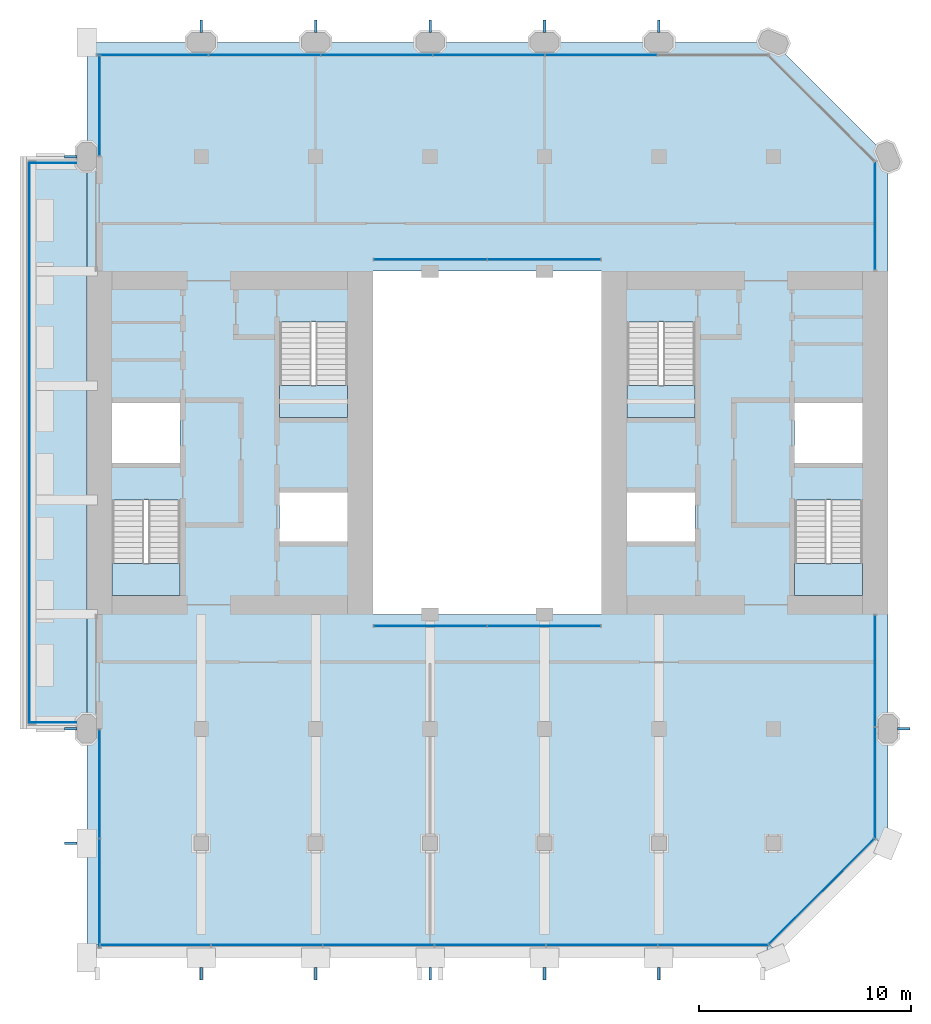
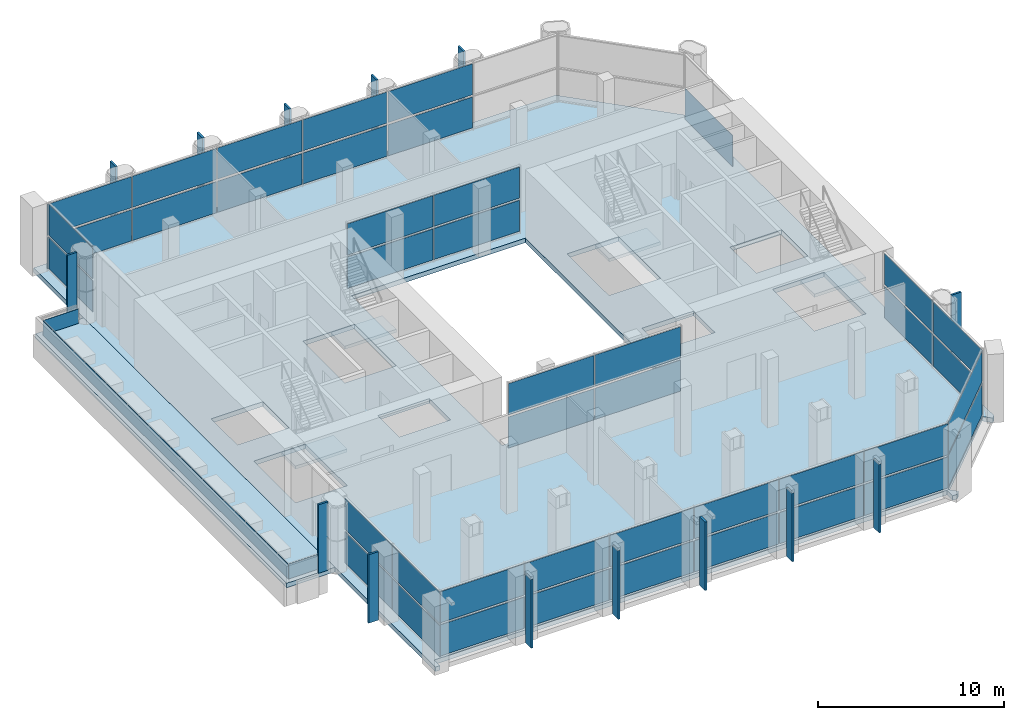
# One storey, part 8 of 14: 60 plates, 6 slabs, 13 elements without a shape of their own.
"""IFC4 building model written with IfcOpenShell, lengths in metres."""

from ifc_helpers import new_model, si_unit, direction, frame, frame_2d, origin, origin_2d, place, context, subcontext, project, spatial, polyline, rectangle, outline, extrude, material, layer, layer_set, type_object, element, aggregate, save


model = new_model("IFC4")

# Units and contexts
model_context = context("Model", 3, precision=1e-05, world=origin(), true_north=direction((0.0, 1.0)))
body_context = subcontext(model_context, "Body", "Model", "MODEL_VIEW")
ifc_project = project(units=[si_unit("LENGTHUNIT", "METRE"), si_unit("AREAUNIT", "SQUARE_METRE"), si_unit("VOLUMEUNIT", "CUBIC_METRE"), si_unit("PLANEANGLEUNIT", "RADIAN"), si_unit("MASSUNIT", "GRAM", prefix="KILO")], contexts=[model_context])

# Site, building, storey
site_placement = place(None, origin())
site = spatial("IfcSite", under=ifc_project, at=site_placement, CompositionType="ELEMENT")
building_placement = place(site_placement, origin())
building = spatial("IfcBuilding", under=site, at=building_placement, Name="Tabaq Tower and Sports Hall", CompositionType="ELEMENT")
storey_placement = place(building_placement, frame((0.0, 0.0, 260.5)))
storey = spatial("IfcBuildingStorey", under=building, at=storey_placement, Name="L63", CompositionType="ELEMENT", Elevation=260.5)

# Curtain wall, plates
ifc_material_1 = material(Name="Aluminium alloy 6063-T6 framed glazing", Category="aluminium")
curtain_wall_type_1 = type_object("IfcCurtainWallType", Name="CW1 curtain wall", PredefinedType="USERDEFINED", material=ifc_material_1)
curtain_wall_1_placement = place(storey_placement, origin())
curtain_wall_1 = element("IfcCurtainWall", 1, at=curtain_wall_1_placement, inside=storey, type_object=curtain_wall_type_1, Name="Atrium glazing L63 S", ObjectType="ATRIUM ENCLOSURE", PredefinedType="USERDEFINED")
ifc_material_2 = material(Name="Clear low-emissivity glass 28 mm", Category="glass")
ifc_layer_1 = layer(ifc_material_2, 0.028076171875)
ifc_layer_set_1 = layer_set([ifc_layer_1], Name="CW1 glass panel 28")
plate_type_1 = type_object("IfcPlateType", Name="CW1 glass panel 28", PredefinedType="CURTAIN_PANEL", material=ifc_layer_set_1)
plate_1_placement = place(storey_placement, frame((21.614990234375, 15.64990234375, 0.139892578125), z_axis=(0.0, 0.0, 1.0), x_axis=(1.0, 0.0, 0.0)))
plate_1 = element("IfcPlate", 2, at=plate_1_placement, type_object=plate_type_1, Name="CW1 panel 1.1", PredefinedType="CURTAIN_PANEL", context=body_context, shape_type="SweptSolid", body=[
    extrude(rectangle(XDim=5.31005859375, YDim=0.028076171875, at=origin_2d()), origin(), (0.0, 0.0, 1.0), 2.0400390625),
])
plate_2_placement = place(storey_placement, frame((21.614990234375, 15.64990234375, 2.320068359375), z_axis=(0.0, 0.0, 1.0), x_axis=(1.0, 0.0, 0.0)))
plate_2 = element("IfcPlate", 3, at=plate_2_placement, type_object=plate_type_1, Name="CW1 panel 1.2", PredefinedType="CURTAIN_PANEL", context=body_context, shape_type="SweptSolid", body=[
    extrude(rectangle(XDim=5.31005859375, YDim=0.028076171875, at=origin_2d()), origin(), (0.0, 0.0, 1.0), 2.0400390625),
])
plate_3_placement = place(storey_placement, frame((26.985107421875, 15.64990234375, 0.139892578125), z_axis=(0.0, 0.0, 1.0), x_axis=(1.0, 0.0, 0.0)))
plate_3 = element("IfcPlate", 4, at=plate_3_placement, type_object=plate_type_1, Name="CW1 panel 2.1", PredefinedType="CURTAIN_PANEL", context=body_context, shape_type="SweptSolid", body=[
    extrude(rectangle(XDim=5.31005859375, YDim=0.028076171875, at=origin_2d()), origin(), (0.0, 0.0, 1.0), 2.0400390625),
])
plate_4_placement = place(storey_placement, frame((26.985107421875, 15.64990234375, 2.320068359375), z_axis=(0.0, 0.0, 1.0), x_axis=(1.0, 0.0, 0.0)))
plate_4 = element("IfcPlate", 5, at=plate_4_placement, type_object=plate_type_1, Name="CW1 panel 2.2", PredefinedType="CURTAIN_PANEL", context=body_context, shape_type="SweptSolid", body=[
    extrude(rectangle(XDim=5.31005859375, YDim=0.028076171875, at=origin_2d()), origin(), (0.0, 0.0, 1.0), 2.0400390625),
])
aggregate(curtain_wall_1, [plate_1, plate_2, plate_3, plate_4])

curtain_wall_2_placement = place(storey_placement, origin())
curtain_wall_2 = element("IfcCurtainWall", 6, at=curtain_wall_2_placement, inside=storey, type_object=curtain_wall_type_1, Name="Atrium glazing L63 N", ObjectType="ATRIUM ENCLOSURE", PredefinedType="USERDEFINED")
plate_5_placement = place(storey_placement, frame((21.614990234375, 32.949951171875, 0.139892578125), z_axis=(0.0, 0.0, 1.0), x_axis=(1.0, 0.0, 0.0)))
plate_5 = element("IfcPlate", 7, at=plate_5_placement, type_object=plate_type_1, Name="CW1 panel 1.1", PredefinedType="CURTAIN_PANEL", context=body_context, shape_type="SweptSolid", body=[
    extrude(rectangle(XDim=5.31005859375, YDim=0.028076171875, at=origin_2d()), origin(), (0.0, 0.0, 1.0), 2.0400390625),
])
plate_6_placement = place(storey_placement, frame((21.614990234375, 32.949951171875, 2.320068359375), z_axis=(0.0, 0.0, 1.0), x_axis=(1.0, 0.0, 0.0)))
plate_6 = element("IfcPlate", 8, at=plate_6_placement, type_object=plate_type_1, Name="CW1 panel 1.2", PredefinedType="CURTAIN_PANEL", context=body_context, shape_type="SweptSolid", body=[
    extrude(rectangle(XDim=5.31005859375, YDim=0.028076171875, at=origin_2d()), origin(), (0.0, 0.0, 1.0), 2.0400390625),
])
plate_7_placement = place(storey_placement, frame((26.985107421875, 32.949951171875, 0.139892578125), z_axis=(0.0, 0.0, 1.0), x_axis=(1.0, 0.0, 0.0)))
plate_7 = element("IfcPlate", 9, at=plate_7_placement, type_object=plate_type_1, Name="CW1 panel 2.1", PredefinedType="CURTAIN_PANEL", context=body_context, shape_type="SweptSolid", body=[
    extrude(rectangle(XDim=5.31005859375, YDim=0.028076171875, at=origin_2d()), origin(), (0.0, 0.0, 1.0), 2.0400390625),
])
plate_8_placement = place(storey_placement, frame((26.985107421875, 32.949951171875, 2.320068359375), z_axis=(0.0, 0.0, 1.0), x_axis=(1.0, 0.0, 0.0)))
plate_8 = element("IfcPlate", 10, at=plate_8_placement, type_object=plate_type_1, Name="CW1 panel 2.2", PredefinedType="CURTAIN_PANEL", context=body_context, shape_type="SweptSolid", body=[
    extrude(rectangle(XDim=5.31005859375, YDim=0.028076171875, at=origin_2d()), origin(), (0.0, 0.0, 1.0), 2.0400390625),
])
aggregate(curtain_wall_2, [plate_5, plate_6, plate_7, plate_8])

ifc_material_3 = material(Name="Aluminium alloy 6063-T6 framed glazing", Category="aluminium")
curtain_wall_type_2 = type_object("IfcCurtainWallType", Name="CW3 curtain wall", PredefinedType="USERDEFINED", material=ifc_material_3)
curtain_wall_3_placement = place(storey_placement, origin())
curtain_wall_3 = element("IfcCurtainWall", 11, at=curtain_wall_3_placement, inside=storey, type_object=curtain_wall_type_2, Name="Garden Floor Wall L63 S", ObjectType="GARDEN FLOOR WALL", PredefinedType="USERDEFINED")
ifc_material_4 = material(Name="Clear low-emissivity glass 28 mm", Category="glass")
ifc_layer_2 = layer(ifc_material_4, 0.028076171875)
ifc_layer_set_2 = layer_set([ifc_layer_2], Name="CW3 glass panel 28")
plate_type_2 = type_object("IfcPlateType", Name="CW3 glass panel 28", PredefinedType="CURTAIN_PANEL", material=ifc_layer_set_2)
plate_9_placement = place(storey_placement, frame((8.6494140625, 0.60009765625, 0.139892578125), z_axis=(0.0, 0.0, 1.0), x_axis=(1.0, 0.0, 0.0)))
plate_9 = element("IfcPlate", 12, at=plate_9_placement, type_object=plate_type_2, Name="CW3 panel 1.1", PredefinedType="CURTAIN_PANEL", context=body_context, shape_type="SweptSolid", body=[
    extrude(rectangle(XDim=5.178955078125, YDim=0.028076171875, at=origin_2d()), origin(), (0.0, 0.0, 1.0), 2.0400390625),
])
plate_10_placement = place(storey_placement, frame((8.6494140625, 0.60009765625, 2.320068359375), z_axis=(0.0, 0.0, 1.0), x_axis=(1.0, 0.0, 0.0)))
plate_10 = element("IfcPlate", 13, at=plate_10_placement, type_object=plate_type_2, Name="CW3 panel 1.2", PredefinedType="CURTAIN_PANEL", context=body_context, shape_type="SweptSolid", body=[
    extrude(rectangle(XDim=5.178955078125, YDim=0.028076171875, at=origin_2d()), origin(), (0.0, 0.0, 1.0), 2.0400390625),
])
plate_11_placement = place(storey_placement, frame((13.9033203125, 0.60009765625, 0.139892578125), z_axis=(0.0, 0.0, 1.0), x_axis=(1.0, 0.0, 0.0)))
plate_11 = element("IfcPlate", 14, at=plate_11_placement, type_object=plate_type_2, Name="CW3 panel 2.1", PredefinedType="CURTAIN_PANEL", context=body_context, shape_type="SweptSolid", body=[
    extrude(rectangle(XDim=5.208984375, YDim=0.028076171875, at=origin_2d()), origin(), (0.0, 0.0, 1.0), 2.0400390625),
])
plate_12_placement = place(storey_placement, frame((13.9033203125, 0.60009765625, 2.320068359375), z_axis=(0.0, 0.0, 1.0), x_axis=(1.0, 0.0, 0.0)))
plate_12 = element("IfcPlate", 15, at=plate_12_placement, type_object=plate_type_2, Name="CW3 panel 2.2", PredefinedType="CURTAIN_PANEL", context=body_context, shape_type="SweptSolid", body=[
    extrude(rectangle(XDim=5.208984375, YDim=0.028076171875, at=origin_2d()), origin(), (0.0, 0.0, 1.0), 2.0400390625),
])
plate_13_placement = place(storey_placement, frame((19.17236328125, 0.60009765625, 0.139892578125), z_axis=(0.0, 0.0, 1.0), x_axis=(1.0, 0.0, 0.0)))
plate_13 = element("IfcPlate", 16, at=plate_13_placement, type_object=plate_type_2, Name="CW3 panel 3.1", PredefinedType="CURTAIN_PANEL", context=body_context, shape_type="SweptSolid", body=[
    extrude(rectangle(XDim=5.208984375, YDim=0.028076171875, at=origin_2d()), origin(), (0.0, 0.0, 1.0), 2.0400390625),
])
plate_14_placement = place(storey_placement, frame((19.17236328125, 0.60009765625, 2.320068359375), z_axis=(0.0, 0.0, 1.0), x_axis=(1.0, 0.0, 0.0)))
plate_14 = element("IfcPlate", 17, at=plate_14_placement, type_object=plate_type_2, Name="CW3 panel 3.2", PredefinedType="CURTAIN_PANEL", context=body_context, shape_type="SweptSolid", body=[
    extrude(rectangle(XDim=5.208984375, YDim=0.028076171875, at=origin_2d()), origin(), (0.0, 0.0, 1.0), 2.0400390625),
])
plate_15_placement = place(storey_placement, frame((24.441162109375, 0.60009765625, 0.139892578125), z_axis=(0.0, 0.0, 1.0), x_axis=(1.0, 0.0, 0.0)))
plate_15 = element("IfcPlate", 18, at=plate_15_placement, type_object=plate_type_2, Name="CW3 panel 4.1", PredefinedType="CURTAIN_PANEL", context=body_context, shape_type="SweptSolid", body=[
    extrude(rectangle(XDim=5.208984375, YDim=0.028076171875, at=origin_2d()), origin(), (0.0, 0.0, 1.0), 2.0400390625),
])
plate_16_placement = place(storey_placement, frame((24.441162109375, 0.60009765625, 2.320068359375), z_axis=(0.0, 0.0, 1.0), x_axis=(1.0, 0.0, 0.0)))
plate_16 = element("IfcPlate", 19, at=plate_16_placement, type_object=plate_type_2, Name="CW3 panel 4.2", PredefinedType="CURTAIN_PANEL", context=body_context, shape_type="SweptSolid", body=[
    extrude(rectangle(XDim=5.208984375, YDim=0.028076171875, at=origin_2d()), origin(), (0.0, 0.0, 1.0), 2.0400390625),
])
plate_17_placement = place(storey_placement, frame((29.710205078125, 0.60009765625, 0.139892578125), z_axis=(0.0, 0.0, 1.0), x_axis=(1.0, 0.0, 0.0)))
plate_17 = element("IfcPlate", 20, at=plate_17_placement, type_object=plate_type_2, Name="CW3 panel 5.1", PredefinedType="CURTAIN_PANEL", context=body_context, shape_type="SweptSolid", body=[
    extrude(rectangle(XDim=5.208984375, YDim=0.028076171875, at=origin_2d()), origin(), (0.0, 0.0, 1.0), 2.0400390625),
])
plate_18_placement = place(storey_placement, frame((29.710205078125, 0.60009765625, 2.320068359375), z_axis=(0.0, 0.0, 1.0), x_axis=(1.0, 0.0, 0.0)))
plate_18 = element("IfcPlate", 21, at=plate_18_placement, type_object=plate_type_2, Name="CW3 panel 5.2", PredefinedType="CURTAIN_PANEL", context=body_context, shape_type="SweptSolid", body=[
    extrude(rectangle(XDim=5.208984375, YDim=0.028076171875, at=origin_2d()), origin(), (0.0, 0.0, 1.0), 2.0400390625),
])
plate_19_placement = place(storey_placement, frame((34.964111328125, 0.60009765625, 0.139892578125), z_axis=(0.0, 0.0, 1.0), x_axis=(1.0, 0.0, 0.0)))
plate_19 = element("IfcPlate", 22, at=plate_19_placement, type_object=plate_type_2, Name="CW3 panel 6.1", PredefinedType="CURTAIN_PANEL", context=body_context, shape_type="SweptSolid", body=[
    extrude(rectangle(XDim=5.178955078125, YDim=0.028076171875, at=origin_2d()), origin(), (0.0, 0.0, 1.0), 2.0400390625),
])
plate_20_placement = place(storey_placement, frame((34.964111328125, 0.60009765625, 2.320068359375), z_axis=(0.0, 0.0, 1.0), x_axis=(1.0, 0.0, 0.0)))
plate_20 = element("IfcPlate", 23, at=plate_20_placement, type_object=plate_type_2, Name="CW3 panel 6.2", PredefinedType="CURTAIN_PANEL", context=body_context, shape_type="SweptSolid", body=[
    extrude(rectangle(XDim=5.178955078125, YDim=0.028076171875, at=origin_2d()), origin(), (0.0, 0.0, 1.0), 2.0400390625),
])
aggregate(curtain_wall_3, [plate_9, plate_10, plate_11, plate_12, plate_13, plate_14, plate_15, plate_16, plate_17, plate_18, plate_19, plate_20])

curtain_wall_4_placement = place(storey_placement, origin())
curtain_wall_4 = element("IfcCurtainWall", 24, at=curtain_wall_4_placement, inside=storey, type_object=curtain_wall_type_2, Name="Garden Floor Wall L63 SE", ObjectType="GARDEN FLOOR WALL", PredefinedType="USERDEFINED")
plate_21_placement = place(storey_placement, frame((40.07568359375, 3.124267578125, 0.139892578125), z_axis=(0.0, 0.0, 1.0), x_axis=(0.707106781187, 0.707106781187, 0.0)))
plate_21 = element("IfcPlate", 25, at=plate_21_placement, type_object=plate_type_2, Name="CW3 panel 1.1", PredefinedType="CURTAIN_PANEL", context=body_context, shape_type="SweptSolid", body=[
    extrude(rectangle(XDim=7.019775390625, YDim=0.028076171875, at=origin_2d()), origin(), (0.0, 0.0, 1.0), 2.0400390625),
])
plate_22_placement = place(storey_placement, frame((40.07568359375, 3.124267578125, 2.320068359375), z_axis=(0.0, 0.0, 1.0), x_axis=(0.707106781187, 0.707106781187, 0.0)))
plate_22 = element("IfcPlate", 26, at=plate_22_placement, type_object=plate_type_2, Name="CW3 panel 1.2", PredefinedType="CURTAIN_PANEL", context=body_context, shape_type="SweptSolid", body=[
    extrude(rectangle(XDim=7.019775390625, YDim=0.028076171875, at=origin_2d()), origin(), (0.0, 0.0, 1.0), 2.0400390625),
])
aggregate(curtain_wall_4, [plate_21, plate_22])

curtain_wall_5_placement = place(storey_placement, origin())
curtain_wall_5 = element("IfcCurtainWall", 27, at=curtain_wall_5_placement, inside=storey, type_object=curtain_wall_type_2, Name="Garden Floor Wall L63 E", ObjectType="GARDEN FLOOR WALL", PredefinedType="USERDEFINED")
plate_23_placement = place(storey_placement, frame((42.60009765625, 8.2548828125, 0.139892578125), z_axis=(0.0, 0.0, 1.0), x_axis=(0.0, 1.0, 0.0)))
plate_23 = element("IfcPlate", 28, at=plate_23_placement, type_object=plate_type_2, Name="CW3 panel 1.1", PredefinedType="CURTAIN_PANEL", context=body_context, shape_type="SweptSolid", body=[
    extrude(rectangle(XDim=5.216796875, YDim=0.028076171875, at=origin_2d()), origin(), (0.0, 0.0, 1.0), 2.0400390625),
])
plate_24_placement = place(storey_placement, frame((42.60009765625, 8.2548828125, 2.320068359375), z_axis=(0.0, 0.0, 1.0), x_axis=(0.0, 1.0, 0.0)))
plate_24 = element("IfcPlate", 29, at=plate_24_placement, type_object=plate_type_2, Name="CW3 panel 1.2", PredefinedType="CURTAIN_PANEL", context=body_context, shape_type="SweptSolid", body=[
    extrude(rectangle(XDim=5.216796875, YDim=0.028076171875, at=origin_2d()), origin(), (0.0, 0.0, 1.0), 2.0400390625),
])
plate_25_placement = place(storey_placement, frame((42.60009765625, 13.531494140625, 0.139892578125), z_axis=(0.0, 0.0, 1.0), x_axis=(0.0, 1.0, 0.0)))
plate_25 = element("IfcPlate", 30, at=plate_25_placement, type_object=plate_type_2, Name="CW3 panel 2.1", PredefinedType="CURTAIN_PANEL", context=body_context, shape_type="SweptSolid", body=[
    extrude(rectangle(XDim=5.216796875, YDim=0.028076171875, at=origin_2d()), origin(), (0.0, 0.0, 1.0), 2.0400390625),
])
plate_26_placement = place(storey_placement, frame((42.60009765625, 13.531494140625, 2.320068359375), z_axis=(0.0, 0.0, 1.0), x_axis=(0.0, 1.0, 0.0)))
plate_26 = element("IfcPlate", 31, at=plate_26_placement, type_object=plate_type_2, Name="CW3 panel 2.2", PredefinedType="CURTAIN_PANEL", context=body_context, shape_type="SweptSolid", body=[
    extrude(rectangle(XDim=5.216796875, YDim=0.028076171875, at=origin_2d()), origin(), (0.0, 0.0, 1.0), 2.0400390625),
])
aggregate(curtain_wall_5, [plate_23, plate_24, plate_25, plate_26])

# Curtain wall, plate
curtain_wall_6_placement = place(storey_placement, origin())
curtain_wall_6 = element("IfcCurtainWall", 32, at=curtain_wall_6_placement, inside=storey, type_object=curtain_wall_type_2, Name="Garden Floor Wall L63 E", ObjectType="GARDEN FLOOR WALL", PredefinedType="USERDEFINED")
plate_27_placement = place(storey_placement, frame((42.60009765625, 35.0068359375, 0.139892578125), z_axis=(0.0, 0.0, 1.0), x_axis=(0.0, 1.0, 0.0)))
plate_27 = element("IfcPlate", 33, at=plate_27_placement, type_object=plate_type_2, Name="CW3 panel 1.1", PredefinedType="CURTAIN_PANEL", context=body_context, shape_type="SweptSolid", body=[
    extrude(rectangle(XDim=5.093505859375, YDim=0.028076171875, at=origin_2d()), origin(), (0.0, 0.0, 1.0), 2.0400390625),
])
aggregate(curtain_wall_6, [plate_27])

# Curtain wall, plates
curtain_wall_7_placement = place(storey_placement, origin())
curtain_wall_7 = element("IfcCurtainWall", 34, at=curtain_wall_7_placement, inside=storey, type_object=curtain_wall_type_2, Name="Garden Floor Wall L63 N", ObjectType="GARDEN FLOOR WALL", PredefinedType="USERDEFINED")
plate_28_placement = place(storey_placement, frame((29.672607421875, 42.60009765625, 0.139892578125), z_axis=(0.0, 0.0, 1.0), x_axis=(-1.0, 0.0, 0.0)))
plate_28 = element("IfcPlate", 35, at=plate_28_placement, type_object=plate_type_2, Name="CW3 panel 2.1", PredefinedType="CURTAIN_PANEL", context=body_context, shape_type="SweptSolid", body=[
    extrude(rectangle(XDim=5.23388671875, YDim=0.028076171875, at=origin_2d()), origin(), (0.0, 0.0, 1.0), 2.0400390625),
])
plate_29_placement = place(storey_placement, frame((29.672607421875, 42.60009765625, 2.320068359375), z_axis=(0.0, 0.0, 1.0), x_axis=(-1.0, 0.0, 0.0)))
plate_29 = element("IfcPlate", 36, at=plate_29_placement, type_object=plate_type_2, Name="CW3 panel 2.2", PredefinedType="CURTAIN_PANEL", context=body_context, shape_type="SweptSolid", body=[
    extrude(rectangle(XDim=5.23388671875, YDim=0.028076171875, at=origin_2d()), origin(), (0.0, 0.0, 1.0), 2.0400390625),
])
plate_30_placement = place(storey_placement, frame((24.378662109375, 42.60009765625, 0.139892578125), z_axis=(0.0, 0.0, 1.0), x_axis=(-1.0, 0.0, 0.0)))
plate_30 = element("IfcPlate", 37, at=plate_30_placement, type_object=plate_type_2, Name="CW3 panel 3.1", PredefinedType="CURTAIN_PANEL", context=body_context, shape_type="SweptSolid", body=[
    extrude(rectangle(XDim=5.23388671875, YDim=0.028076171875, at=origin_2d()), origin(), (0.0, 0.0, 1.0), 2.0400390625),
])
plate_31_placement = place(storey_placement, frame((24.378662109375, 42.60009765625, 2.320068359375), z_axis=(0.0, 0.0, 1.0), x_axis=(-1.0, 0.0, 0.0)))
plate_31 = element("IfcPlate", 38, at=plate_31_placement, type_object=plate_type_2, Name="CW3 panel 3.2", PredefinedType="CURTAIN_PANEL", context=body_context, shape_type="SweptSolid", body=[
    extrude(rectangle(XDim=5.23388671875, YDim=0.028076171875, at=origin_2d()), origin(), (0.0, 0.0, 1.0), 2.0400390625),
])
plate_32_placement = place(storey_placement, frame((19.084716796875, 42.60009765625, 0.139892578125), z_axis=(0.0, 0.0, 1.0), x_axis=(-1.0, 0.0, 0.0)))
plate_32 = element("IfcPlate", 39, at=plate_32_placement, type_object=plate_type_2, Name="CW3 panel 4.1", PredefinedType="CURTAIN_PANEL", context=body_context, shape_type="SweptSolid", body=[
    extrude(rectangle(XDim=5.23388671875, YDim=0.028076171875, at=origin_2d()), origin(), (0.0, 0.0, 1.0), 2.0400390625),
])
plate_33_placement = place(storey_placement, frame((19.084716796875, 42.60009765625, 2.320068359375), z_axis=(0.0, 0.0, 1.0), x_axis=(-1.0, 0.0, 0.0)))
plate_33 = element("IfcPlate", 40, at=plate_33_placement, type_object=plate_type_2, Name="CW3 panel 4.2", PredefinedType="CURTAIN_PANEL", context=body_context, shape_type="SweptSolid", body=[
    extrude(rectangle(XDim=5.23388671875, YDim=0.028076171875, at=origin_2d()), origin(), (0.0, 0.0, 1.0), 2.0400390625),
])
plate_34_placement = place(storey_placement, frame((13.791015625, 42.60009765625, 0.139892578125), z_axis=(0.0, 0.0, 1.0), x_axis=(-1.0, 0.0, 0.0)))
plate_34 = element("IfcPlate", 41, at=plate_34_placement, type_object=plate_type_2, Name="CW3 panel 5.1", PredefinedType="CURTAIN_PANEL", context=body_context, shape_type="SweptSolid", body=[
    extrude(rectangle(XDim=5.23388671875, YDim=0.028076171875, at=origin_2d()), origin(), (0.0, 0.0, 1.0), 2.0400390625),
])
plate_35_placement = place(storey_placement, frame((13.791015625, 42.60009765625, 2.320068359375), z_axis=(0.0, 0.0, 1.0), x_axis=(-1.0, 0.0, 0.0)))
plate_35 = element("IfcPlate", 42, at=plate_35_placement, type_object=plate_type_2, Name="CW3 panel 5.2", PredefinedType="CURTAIN_PANEL", context=body_context, shape_type="SweptSolid", body=[
    extrude(rectangle(XDim=5.23388671875, YDim=0.028076171875, at=origin_2d()), origin(), (0.0, 0.0, 1.0), 2.0400390625),
])
plate_36_placement = place(storey_placement, frame((8.511962890625, 42.60009765625, 0.139892578125), z_axis=(0.0, 0.0, 1.0), x_axis=(-1.0, 0.0, 0.0)))
plate_36 = element("IfcPlate", 43, at=plate_36_placement, type_object=plate_type_2, Name="CW3 panel 6.1", PredefinedType="CURTAIN_PANEL", context=body_context, shape_type="SweptSolid", body=[
    extrude(rectangle(XDim=5.203857421875, YDim=0.028076171875, at=origin_2d()), origin(), (0.0, 0.0, 1.0), 2.0400390625),
])
plate_37_placement = place(storey_placement, frame((8.511962890625, 42.60009765625, 2.320068359375), z_axis=(0.0, 0.0, 1.0), x_axis=(-1.0, 0.0, 0.0)))
plate_37 = element("IfcPlate", 44, at=plate_37_placement, type_object=plate_type_2, Name="CW3 panel 6.2", PredefinedType="CURTAIN_PANEL", context=body_context, shape_type="SweptSolid", body=[
    extrude(rectangle(XDim=5.203857421875, YDim=0.028076171875, at=origin_2d()), origin(), (0.0, 0.0, 1.0), 2.0400390625),
])
aggregate(curtain_wall_7, [plate_28, plate_29, plate_30, plate_31, plate_32, plate_33, plate_34, plate_35, plate_36, plate_37])

curtain_wall_8_placement = place(storey_placement, origin())
curtain_wall_8 = element("IfcCurtainWall", 45, at=curtain_wall_8_placement, inside=storey, type_object=curtain_wall_type_2, Name="Garden Floor Wall L63 W", ObjectType="GARDEN FLOOR WALL", PredefinedType="USERDEFINED")
plate_38_placement = place(storey_placement, frame((6.0, 40.199951171875, 0.139892578125), z_axis=(0.0, 0.0, 1.0), x_axis=(0.0, -1.0, 0.0)))
plate_38 = element("IfcPlate", 46, at=plate_38_placement, type_object=plate_type_2, Name="CW3 panel 1.1", PredefinedType="CURTAIN_PANEL", context=body_context, shape_type="SweptSolid", body=[
    extrude(rectangle(XDim=4.679931640625, YDim=0.028076171875, at=origin_2d()), origin(), (0.0, 0.0, 1.0), 2.0400390625),
])
plate_39_placement = place(storey_placement, frame((6.0, 40.199951171875, 2.320068359375), z_axis=(0.0, 0.0, 1.0), x_axis=(0.0, -1.0, 0.0)))
plate_39 = element("IfcPlate", 47, at=plate_39_placement, type_object=plate_type_2, Name="CW3 panel 1.2", PredefinedType="CURTAIN_PANEL", context=body_context, shape_type="SweptSolid", body=[
    extrude(rectangle(XDim=4.679931640625, YDim=0.028076171875, at=origin_2d()), origin(), (0.0, 0.0, 1.0), 2.0400390625),
])
aggregate(curtain_wall_8, [plate_38, plate_39])

curtain_wall_9_placement = place(storey_placement, origin())
curtain_wall_9 = element("IfcCurtainWall", 48, at=curtain_wall_9_placement, inside=storey, type_object=curtain_wall_type_2, Name="Garden Floor Wall L63 W", ObjectType="GARDEN FLOOR WALL", PredefinedType="USERDEFINED")
plate_40_placement = place(storey_placement, frame((6.0, 8.197509765625, 0.139892578125), z_axis=(0.0, 0.0, 1.0), x_axis=(0.0, -1.0, 0.0)))
plate_40 = element("IfcPlate", 49, at=plate_40_placement, type_object=plate_type_2, Name="CW3 panel 1.1", PredefinedType="CURTAIN_PANEL", context=body_context, shape_type="SweptSolid", body=[
    extrude(rectangle(XDim=5.0849609375, YDim=0.028076171875, at=origin_2d()), origin(), (0.0, 0.0, 1.0), 2.0400390625),
])
plate_41_placement = place(storey_placement, frame((6.0, 8.197509765625, 2.320068359375), z_axis=(0.0, 0.0, 1.0), x_axis=(0.0, -1.0, 0.0)))
plate_41 = element("IfcPlate", 50, at=plate_41_placement, type_object=plate_type_2, Name="CW3 panel 1.2", PredefinedType="CURTAIN_PANEL", context=body_context, shape_type="SweptSolid", body=[
    extrude(rectangle(XDim=5.0849609375, YDim=0.028076171875, at=origin_2d()), origin(), (0.0, 0.0, 1.0), 2.0400390625),
])
plate_42_placement = place(storey_placement, frame((6.0, 3.052490234375, 0.139892578125), z_axis=(0.0, 0.0, 1.0), x_axis=(0.0, -1.0, 0.0)))
plate_42 = element("IfcPlate", 51, at=plate_42_placement, type_object=plate_type_2, Name="CW3 panel 2.1", PredefinedType="CURTAIN_PANEL", context=body_context, shape_type="SweptSolid", body=[
    extrude(rectangle(XDim=5.0849609375, YDim=0.028076171875, at=origin_2d()), origin(), (0.0, 0.0, 1.0), 2.0400390625),
])
plate_43_placement = place(storey_placement, frame((6.0, 3.052490234375, 2.320068359375), z_axis=(0.0, 0.0, 1.0), x_axis=(0.0, -1.0, 0.0)))
plate_43 = element("IfcPlate", 52, at=plate_43_placement, type_object=plate_type_2, Name="CW3 panel 2.2", PredefinedType="CURTAIN_PANEL", context=body_context, shape_type="SweptSolid", body=[
    extrude(rectangle(XDim=5.0849609375, YDim=0.028076171875, at=origin_2d()), origin(), (0.0, 0.0, 1.0), 2.0400390625),
])
aggregate(curtain_wall_9, [plate_40, plate_41, plate_42, plate_43])

# Slab
ifc_material_5 = material(Name="Concrete C40/50", Category="concrete")
ifc_layer_3 = layer(ifc_material_5, 0.300048828125)
ifc_layer_set_3 = layer_set([ifc_layer_3], Name="Concrete C40/50 PT tray slab 300")
slab_type_1 = type_object("IfcSlabType", Name="Concrete C40/50 PT tray slab 300", PredefinedType="FLOOR", material=ifc_layer_set_3)
slab_1_placement = place(storey_placement, frame((0.0, 0.0, -0.300048828125)))
element("IfcSlab", 53, at=slab_1_placement, inside=storey, type_object=slab_type_1, Name="Tray slab L63", PredefinedType="FLOOR", context=body_context, shape_type="SweptSolid", body=[
    extrude(outline(polyline([(5.39990234375, 37.800048828125), (5.39990234375, 10.800048828125), (2.39990234375, 10.800048828125), (2.39990234375, 37.800048828125), (5.39990234375, 37.800048828125)])), origin(), (0.0, 0.0, 1.0), 0.300048828125),
])

# Stair, slab
ifc_material_6 = material(Name="Concrete C40/50", Category="concrete")
stair_type = type_object("IfcStairType", Name="Exit stair", PredefinedType="HALF_TURN_STAIR", material=ifc_material_6)
stair_1_placement = place(storey_placement, origin())
stair_1 = element("IfcStair", 54, at=stair_1_placement, inside=storey, type_object=stair_type, Name="L63 Exit stair ST1", PredefinedType="HALF_TURN_STAIR")
ifc_material_7 = material(Name="Concrete C40/50", Category="concrete")
ifc_layer_4 = layer(ifc_material_7, 0.199951171875)
ifc_layer_set_4 = layer_set([ifc_layer_4], Name="Exit stair landing")
slab_type_2 = type_object("IfcSlabType", Name="Exit stair landing", PredefinedType="LANDING", material=ifc_layer_set_4)
slab_2_placement = place(storey_placement, frame((0.0, 0.0, 2.199951171875)))
slab_2 = element("IfcSlab", 55, at=slab_2_placement, type_object=slab_type_2, Name="ST1 landing 1", PredefinedType="LANDING", context=body_context, shape_type="SweptSolid", body=[
    extrude(outline(polyline([(6.60009765625, 18.60009765625), (6.60009765625, 17.10009765625), (9.800048828125, 17.10009765625), (9.800048828125, 18.60009765625), (6.60009765625, 18.60009765625)])), origin(), (0.0, 0.0, 1.0), 0.199951171875),
])
aggregate(stair_1, [slab_2])

stair_2_placement = place(storey_placement, origin())
stair_2 = element("IfcStair", 56, at=stair_2_placement, inside=storey, type_object=stair_type, Name="L63 Exit stair ST2", PredefinedType="HALF_TURN_STAIR")
slab_3_placement = place(storey_placement, frame((0.0, 0.0, 2.199951171875)))
slab_3 = element("IfcSlab", 57, at=slab_3_placement, type_object=slab_type_2, Name="ST2 landing 1", PredefinedType="LANDING", context=body_context, shape_type="SweptSolid", body=[
    extrude(outline(polyline([(14.5, 27.0), (14.5, 25.5), (17.699951171875, 25.5), (17.699951171875, 27.0), (14.5, 27.0)])), origin(), (0.0, 0.0, 1.0), 0.199951171875),
])
aggregate(stair_2, [slab_3])

stair_3_placement = place(storey_placement, origin())
stair_3 = element("IfcStair", 58, at=stair_3_placement, inside=storey, type_object=stair_type, Name="L63 Exit stair ST3", PredefinedType="HALF_TURN_STAIR")
slab_4_placement = place(storey_placement, frame((0.0, 0.0, 2.199951171875)))
slab_4 = element("IfcSlab", 59, at=slab_4_placement, type_object=slab_type_2, Name="ST3 landing 1", PredefinedType="LANDING", context=body_context, shape_type="SweptSolid", body=[
    extrude(outline(polyline([(38.800048828125, 18.60009765625), (38.800048828125, 17.10009765625), (42.0, 17.10009765625), (42.0, 18.60009765625), (38.800048828125, 18.60009765625)])), origin(), (0.0, 0.0, 1.0), 0.199951171875),
])
aggregate(stair_3, [slab_4])

stair_4_placement = place(storey_placement, origin())
stair_4 = element("IfcStair", 60, at=stair_4_placement, inside=storey, type_object=stair_type, Name="L63 Exit stair ST4", PredefinedType="HALF_TURN_STAIR")
slab_5_placement = place(storey_placement, frame((0.0, 0.0, 2.199951171875)))
slab_5 = element("IfcSlab", 61, at=slab_5_placement, type_object=slab_type_2, Name="ST4 landing 1", PredefinedType="LANDING", context=body_context, shape_type="SweptSolid", body=[
    extrude(outline(polyline([(30.89990234375, 27.0), (30.89990234375, 25.5), (34.10009765625, 25.5), (34.10009765625, 27.0), (30.89990234375, 27.0)])), origin(), (0.0, 0.0, 1.0), 0.199951171875),
])
aggregate(stair_4, [slab_5])

# Plates
ifc_material_8 = material(Name="Clear low-emissivity glass 28 mm", Category="glass")
ifc_layer_5 = layer(ifc_material_8, 0.02001953125)
ifc_layer_set_5 = layer_set([ifc_layer_5], Name="Laminated glass tray guard panel 20")
plate_type_3 = type_object("IfcPlateType", Name="Laminated glass tray guard panel 20", PredefinedType="USERDEFINED", material=ifc_layer_set_5)
plate_44_placement = place(storey_placement, frame((4.89990234375, 37.5, 0.0), z_axis=(0.0, 0.0, 1.0), x_axis=(-1.0, 0.0, 0.0)))
element("IfcPlate", 62, at=plate_44_placement, inside=storey, type_object=plate_type_3, Name="Tray guard glass L63", ObjectType="GUARD GLASS", PredefinedType="USERDEFINED", context=body_context, shape_type="SweptSolid", body=[
    extrude(rectangle(XDim=2.199951171875, YDim=0.02001953125, at=frame_2d((1.10009765625, 0.0))), origin(), (0.0, 0.0, 1.0), 0.949951171875),
])
plate_45_placement = place(storey_placement, frame((2.699951171875, 37.5, 0.0), z_axis=(0.0, 0.0, 1.0), x_axis=(0.0, -1.0, 0.0)))
element("IfcPlate", 63, at=plate_45_placement, inside=storey, type_object=plate_type_3, Name="Tray guard glass L63", ObjectType="GUARD GLASS", PredefinedType="USERDEFINED", context=body_context, shape_type="SweptSolid", body=[
    extrude(rectangle(XDim=26.39990234375, YDim=0.02001953125, at=frame_2d((13.199951171875, 0.0))), origin(), (0.0, 0.0, 1.0), 0.949951171875),
])
plate_46_placement = place(storey_placement, frame((2.699951171875, 11.10009765625, 0.0), z_axis=(0.0, 0.0, 1.0), x_axis=(1.0, 0.0, 0.0)))
element("IfcPlate", 64, at=plate_46_placement, inside=storey, type_object=plate_type_3, Name="Tray guard glass L63", ObjectType="GUARD GLASS", PredefinedType="USERDEFINED", context=body_context, shape_type="SweptSolid", body=[
    extrude(rectangle(XDim=2.199951171875, YDim=0.02001953125, at=frame_2d((1.10009765625, 0.0))), origin(), (0.0, 0.0, 1.0), 0.949951171875),
])

# Slab
ifc_material_9 = material(Name="Concrete C40/50", Category="concrete")
ifc_layer_6 = layer(ifc_material_9, 0.300048828125)
ifc_layer_set_6 = layer_set([ifc_layer_6], Name="PT FLOOR SLAB 300 C40/50")
slab_type_3 = type_object("IfcSlabType", Name="PT FLOOR SLAB 300 C40/50", PredefinedType="FLOOR", material=ifc_layer_set_6)
slab_6_placement = place(storey_placement, frame((0.0, 0.0, -0.300048828125)))
element("IfcSlab", 65, at=slab_6_placement, inside=storey, type_object=slab_type_3, Name="Floor Slab L63", PredefinedType="FLOOR", context=body_context, shape_type="SweptSolid", body=[
    extrude(outline(polyline([(43.199951171875, 5.39990234375), (43.199951171875, 37.800048828125), (37.800048828125, 43.199951171875), (5.39990234375, 43.199951171875), (5.39990234375, 0.0), (5.68994140625, 0.0), (5.68994140625, 0.5), (5.68994140625, 0.60009765625), (37.50146484375, 0.60009765625), (37.50146484375, 0.5), (37.50146484375, 0.0), (37.800048828125, 0.0), (38.010986328125, 0.211181640625), (37.5869140625, 0.63525390625), (42.598876953125, 5.6474609375), (42.669677734375, 5.57666015625), (43.023193359375, 5.22314453125), (43.199951171875, 5.39990234375)]), holes=[polyline([(6.60009765625, 21.599365234375), (9.800048828125, 21.599365234375), (9.800048828125, 17.10009765625), (6.60009765625, 17.10009765625), (6.60009765625, 21.599365234375)]), polyline([(38.800048828125, 21.599365234375), (42.0, 21.599365234375), (42.0, 17.10009765625), (38.800048828125, 17.10009765625), (38.800048828125, 21.599365234375)]), polyline([(14.5, 21.949951171875), (17.699951171875, 21.949951171875), (17.699951171875, 19.64990234375), (14.5, 19.64990234375), (14.5, 21.949951171875)]), polyline([(30.89990234375, 21.949951171875), (34.10009765625, 21.949951171875), (34.10009765625, 19.64990234375), (30.89990234375, 19.64990234375), (30.89990234375, 21.949951171875)]), polyline([(18.89990234375, 16.199951171875), (18.89990234375, 32.39990234375), (29.699951171875, 32.39990234375), (29.699951171875, 16.199951171875), (18.89990234375, 16.199951171875)]), polyline([(6.60009765625, 26.175048828125), (9.800048828125, 26.175048828125), (9.800048828125, 23.35009765625), (6.60009765625, 23.35009765625), (6.60009765625, 26.175048828125)]), polyline([(38.800048828125, 26.175048828125), (42.0, 26.175048828125), (42.0, 23.35009765625), (38.800048828125, 23.35009765625), (38.800048828125, 26.175048828125)]), polyline([(17.699951171875, 29.99951171875), (17.699951171875, 25.5), (14.5, 25.5), (14.5, 29.99951171875), (17.699951171875, 29.99951171875)]), polyline([(34.10009765625, 29.99951171875), (34.10009765625, 25.5), (30.89990234375, 25.5), (30.89990234375, 29.99951171875), (34.10009765625, 29.99951171875)])]), origin(), (0.0, 0.0, 1.0), 0.300048828125),
])

# Plates
ifc_material_10 = material(Name="White precast concrete C60/75 fin", Category="concrete")
ifc_layer_7 = layer(ifc_material_10, 0.1201171875)
ifc_layer_set_7 = layer_set([ifc_layer_7], Name="White precast concrete C60/75 fin 120")
plate_type_4 = type_object("IfcPlateType", Name="White precast concrete C60/75 fin 120", PredefinedType="USERDEFINED", material=ifc_layer_set_7)
for number, where, z_axis, x_axis, name in (
    (66, (10.800048828125, -0.75, 0.0), (0.0, 0.0, 1.0), (1.0, 0.0, 0.0), "Fin L63 S"),
    (67, (16.199951171875, -0.75, 0.0), (0.0, 0.0, 1.0), (1.0, 0.0, 0.0), "Fin L63 S"),
    (68, (21.60009765625, -0.75, 0.0), (0.0, 0.0, 1.0), (1.0, 0.0, 0.0), "Fin L63 S"),
    (69, (27.0, -0.75, 0.0), (0.0, 0.0, 1.0), (1.0, 0.0, 0.0), "Fin L63 S"),
    (70, (32.39990234375, -0.75, 0.0), (0.0, 0.0, 1.0), (1.0, 0.0, 0.0), "Fin L63 S"),
    (71, (43.949951171875, 10.800048828125, 0.0), (0.0, 0.0, 1.0), (0.0, 1.0, 0.0), "Fin L63 E"),
    (72, (32.39990234375, 43.949951171875, 0.0), (0.0, 0.0, 1.0), (-1.0, 0.0, 0.0), "Fin L63 N"),
    (73, (27.0, 43.949951171875, 0.0), (0.0, 0.0, 1.0), (-1.0, 0.0, 0.0), "Fin L63 N"),
    (74, (21.60009765625, 43.949951171875, 0.0), (0.0, 0.0, 1.0), (-1.0, 0.0, 0.0), "Fin L63 N"),
    (75, (16.199951171875, 43.949951171875, 0.0), (0.0, 0.0, 1.0), (-1.0, 0.0, 0.0), "Fin L63 N"),
    (76, (10.800048828125, 43.949951171875, 0.0), (0.0, 0.0, 1.0), (-1.0, 0.0, 0.0), "Fin L63 N"),
    (77, (4.64990234375, 37.800048828125, 0.0), (0.0, 0.0, 1.0), (0.0, -1.0, 0.0), "Fin L63 W"),
    (78, (4.64990234375, 10.800048828125, 0.0), (0.0, 0.0, 1.0), (0.0, -1.0, 0.0), "Fin L63 W"),
    (79, (4.64990234375, 5.39990234375, 0.0), (0.0, 0.0, 1.0), (0.0, -1.0, 0.0), "Fin L63 W"),
):
    element("IfcPlate", number, at=place(storey_placement, frame(where, z_axis=z_axis, x_axis=x_axis)), inside=storey, type_object=plate_type_4, Name=name, ObjectType="FIN", PredefinedType="USERDEFINED", context=body_context, shape_type="SweptSolid", body=[
        extrude(rectangle(XDim=0.1201171875, YDim=0.60009765625, at=origin_2d()), origin(), (0.0, 0.0, 1.0), 4.5),
    ])

save(model, "model.ifc")
